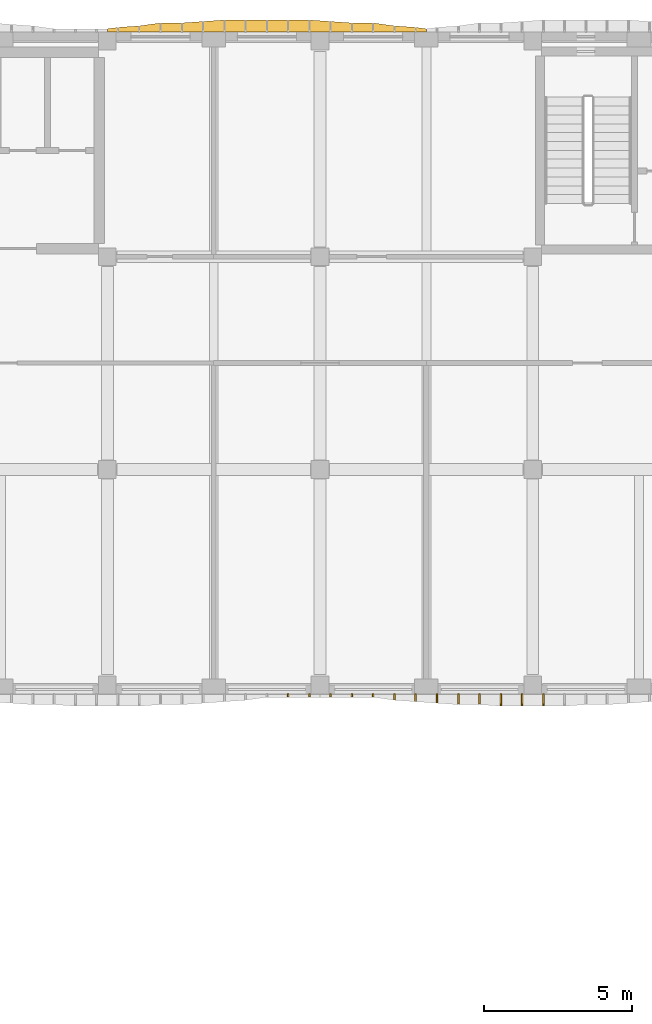
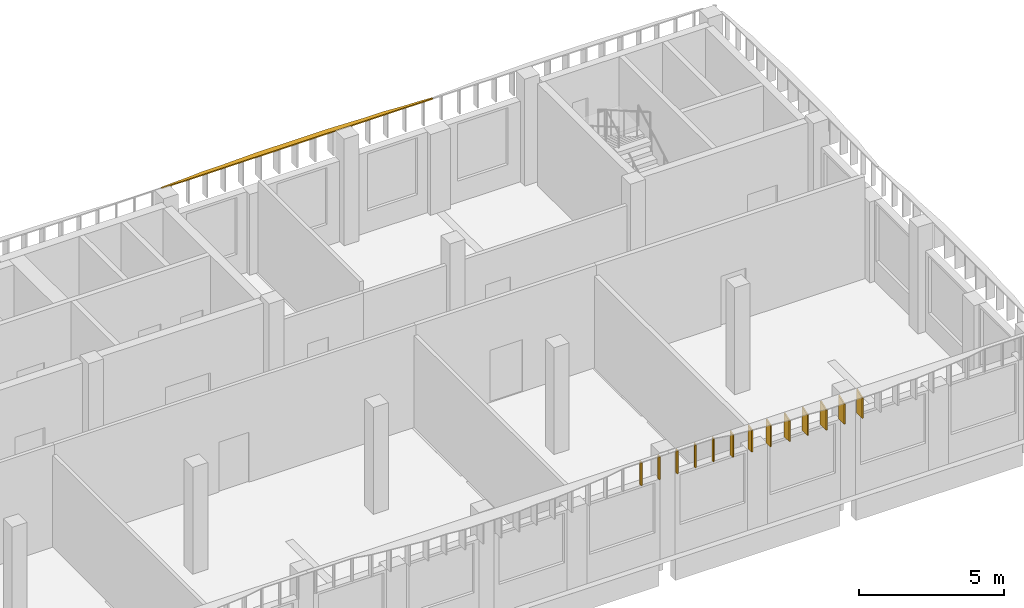
# One storey, part 38 of 44: 14 shading devices.
"""IFC4 building model written with IfcOpenShell, lengths in metres."""

from ifc_helpers import new_model, si_unit, direction, frame, origin, place, context, subcontext, project, spatial, polyline, outline, extrude, material, layer, layer_set, type_object, element, save


model = new_model("IFC4")

# Units and contexts
model_context = context("Model", 3, precision=1e-05, world=origin(), true_north=direction((0.0, 1.0)))
body_context = subcontext(model_context, "Body", "Model", "MODEL_VIEW")
ifc_project = project(units=[si_unit("LENGTHUNIT", "METRE"), si_unit("AREAUNIT", "SQUARE_METRE"), si_unit("VOLUMEUNIT", "CUBIC_METRE"), si_unit("PLANEANGLEUNIT", "RADIAN"), si_unit("MASSUNIT", "GRAM", prefix="KILO")], contexts=[model_context])

# Site, building, storey
site_placement = place(None, origin())
site = spatial("IfcSite", under=ifc_project, at=site_placement, CompositionType="ELEMENT")
building_placement = place(site_placement, origin())
building = spatial("IfcBuilding", under=site, at=building_placement, Name="Ussher Court Research Institute", CompositionType="ELEMENT")
storey_placement = place(building_placement, frame((0.0, 0.0, 18.89990234375)))
storey = spatial("IfcBuildingStorey", under=building, at=storey_placement, Name="L04", CompositionType="ELEMENT", Elevation=18.89990234375)

# Shading devices
ifc_material_1 = material(Name="Bronze anodised aluminium", Category="aluminium")
ifc_layer_1 = layer(ifc_material_1, 0.050048828125)
ifc_layer_set_1 = layer_set([ifc_layer_1], Name="Bronze anodised aluminium")
shading_device_type_1 = type_object("IfcShadingDeviceType", Name="Brim blade 100 mm deep 1000 mm high canted 20 deg dry", PredefinedType="USERDEFINED", material=ifc_layer_set_1)
for number, where, z_axis, x_axis, name in (
    (1, (69.60009765625, 68.39990234375, 3.4501953125), (0.0, 0.0, 1.0), (0.0, -1.0, 0.0), "Brim blade BS17 L04"),
    (2, (68.8798828125, 68.39990234375, 3.4501953125), (0.0, 0.0, 1.0), (0.0, -1.0, 0.0), "Brim blade BS17 L04"),
    (3, (68.159912109375, 68.39990234375, 3.4501953125), (0.0, 0.0, 1.0), (0.0, -1.0, 0.0), "Brim blade BS17 L04"),
    (4, (67.43994140625, 68.39990234375, 3.4501953125), (0.0, 0.0, 1.0), (0.0, -1.0, 0.0), "Brim blade BS17 L04"),
    (5, (66.719970703125, 68.39990234375, 3.4501953125), (0.0, 0.0, 1.0), (0.0, -1.0, 0.0), "Brim blade BS17 L04"),
):
    element("IfcShadingDevice", number, at=place(storey_placement, frame(where, z_axis=z_axis, x_axis=x_axis)), inside=storey, type_object=shading_device_type_1, Name=name, ObjectType="BLADE", PredefinedType="USERDEFINED", context=body_context, shape_type="SweptSolid", body=[
        extrude(outline(polyline([(0.0, 0.0), (0.099853515625, 0.0), (0.10009765625, 0.963623046875), (0.0, 1.0), (0.0, 0.0)])), frame((0.0, 0.02490234375, 0.0), z_axis=(0.0, -1.0, 0.0), x_axis=(1.0, 0.0, 0.0)), (0.0, 0.0, 1.0), 0.050048828125),
    ])
ifc_material_2 = material(Name="Bronze anodised aluminium", Category="aluminium")
ifc_layer_2 = layer(ifc_material_2, 0.050048828125)
ifc_layer_set_2 = layer_set([ifc_layer_2], Name="Bronze anodised aluminium")
shading_device_type_2 = type_object("IfcShadingDeviceType", Name="Brim blade 200 mm deep 1000 mm high canted 20 deg dry", PredefinedType="USERDEFINED", material=ifc_layer_set_2)
shading_device_1_placement = place(storey_placement, frame((70.320068359375, 68.39990234375, 3.4501953125), z_axis=(0.0, 0.0, 1.0), x_axis=(0.0, -1.0, 0.0)))
element("IfcShadingDevice", 6, at=shading_device_1_placement, inside=storey, type_object=shading_device_type_2, Name="Brim blade BS15 L04", ObjectType="BLADE", PredefinedType="USERDEFINED", context=body_context, shape_type="SweptSolid", body=[
    extrude(outline(polyline([(0.0, 0.0), (0.199951171875, 0.0), (0.199951171875, 0.927001953125), (0.0, 1.0), (0.0, 0.0)])), frame((0.0, 0.02490234375, 0.0), z_axis=(0.0, -1.0, 0.0), x_axis=(1.0, 0.0, 0.0)), (0.0, 0.0, 1.0), 0.050048828125),
])
ifc_material_3 = material(Name="Bronze anodised aluminium", Category="aluminium")
ifc_layer_3 = layer(ifc_material_3, 0.050048828125)
ifc_layer_set_3 = layer_set([ifc_layer_3], Name="Bronze anodised aluminium")
shading_device_type_3 = type_object("IfcShadingDeviceType", Name="Brim blade 250 mm deep 1000 mm high canted 20 deg dry", PredefinedType="USERDEFINED", material=ifc_layer_set_3)
shading_device_2_placement = place(storey_placement, frame((71.0400390625, 68.39990234375, 3.4501953125), z_axis=(0.0, 0.0, 1.0), x_axis=(0.0, -1.0, 0.0)))
element("IfcShadingDevice", 7, at=shading_device_2_placement, inside=storey, type_object=shading_device_type_3, Name="Brim blade BS14 L04", ObjectType="BLADE", PredefinedType="USERDEFINED", context=body_context, shape_type="SweptSolid", body=[
    extrude(outline(polyline([(0.0, 0.0), (0.25, 0.0), (0.25, 0.908935546875), (0.0, 1.0), (0.0, 0.0)])), frame((0.0, 0.02490234375, 0.0), z_axis=(0.0, -1.0, 0.0), x_axis=(1.0, 0.0, 0.0)), (0.0, 0.0, 1.0), 0.050048828125),
])
ifc_material_4 = material(Name="Bronze anodised aluminium", Category="aluminium")
ifc_layer_4 = layer(ifc_material_4, 0.050048828125)
ifc_layer_set_4 = layer_set([ifc_layer_4], Name="Bronze anodised aluminium")
shading_device_type_4 = type_object("IfcShadingDeviceType", Name="Brim blade 300 mm deep 1000 mm high canted 20 deg dry", PredefinedType="USERDEFINED", material=ifc_layer_set_4)
shading_device_3_placement = place(storey_placement, frame((71.760009765625, 68.39990234375, 3.4501953125), z_axis=(0.0, 0.0, 1.0), x_axis=(0.0, -1.0, 0.0)))
element("IfcShadingDevice", 8, at=shading_device_3_placement, inside=storey, type_object=shading_device_type_4, Name="Brim blade BS13 L04", ObjectType="BLADE", PredefinedType="USERDEFINED", context=body_context, shape_type="SweptSolid", body=[
    extrude(outline(polyline([(0.0, 0.0), (0.2998046875, 0.0), (0.300048828125, 0.890625), (0.0, 1.0), (0.0, 0.0)])), frame((0.0, 0.02490234375, 0.0), z_axis=(0.0, -1.0, 0.0), x_axis=(1.0, 0.0, 0.0)), (0.0, 0.0, 1.0), 0.050048828125),
])
ifc_material_5 = material(Name="Bronze anodised aluminium", Category="aluminium")
ifc_layer_5 = layer(ifc_material_5, 0.050048828125)
ifc_layer_set_5 = layer_set([ifc_layer_5], Name="Bronze anodised aluminium")
shading_device_type_5 = type_object("IfcShadingDeviceType", Name="Brim blade 350 mm deep 1000 mm high canted 20 deg dry", PredefinedType="USERDEFINED", material=ifc_layer_set_5)
for number, where, z_axis, x_axis, name in (
    (9, (73.199951171875, 68.39990234375, 3.4501953125), (0.0, 0.0, 1.0), (0.0, -1.0, 0.0), "Brim blade BS12 L04"),
    (10, (72.47998046875, 68.39990234375, 3.4501953125), (0.0, 0.0, 1.0), (0.0, -1.0, 0.0), "Brim blade BS12 L04"),
):
    element("IfcShadingDevice", number, at=place(storey_placement, frame(where, z_axis=z_axis, x_axis=x_axis)), inside=storey, type_object=shading_device_type_5, Name=name, ObjectType="BLADE", PredefinedType="USERDEFINED", context=body_context, shape_type="SweptSolid", body=[
        extrude(outline(polyline([(0.0, 0.0), (0.349853515625, 0.0), (0.35009765625, 0.87255859375), (0.0, 1.0), (0.0, 0.0)])), frame((0.0, 0.02490234375, 0.0), z_axis=(0.0, -1.0, 0.0), x_axis=(1.0, 0.0, 0.0)), (0.0, 0.0, 1.0), 0.050048828125),
    ])
ifc_material_6 = material(Name="Bronze anodised aluminium", Category="aluminium")
ifc_layer_6 = layer(ifc_material_6, 0.050048828125)
ifc_layer_set_6 = layer_set([ifc_layer_6], Name="Bronze anodised aluminium")
shading_device_type_6 = type_object("IfcShadingDeviceType", Name="Brim blade 400 mm deep 1000 mm high canted 20 deg dry", PredefinedType="USERDEFINED", material=ifc_layer_set_6)
for number, where, z_axis, x_axis, name in (
    (11, (75.360107421875, 68.39990234375, 3.4501953125), (0.0, 0.0, 1.0), (0.0, -1.0, 0.0), "Brim blade BS11 L04"),
    (12, (74.639892578125, 68.39990234375, 3.4501953125), (0.0, 0.0, 1.0), (0.0, -1.0, 0.0), "Brim blade BS11 L04"),
    (13, (73.919921875, 68.39990234375, 3.4501953125), (0.0, 0.0, 1.0), (0.0, -1.0, 0.0), "Brim blade BS11 L04"),
):
    element("IfcShadingDevice", number, at=place(storey_placement, frame(where, z_axis=z_axis, x_axis=x_axis)), inside=storey, type_object=shading_device_type_6, Name=name, ObjectType="BLADE", PredefinedType="USERDEFINED", context=body_context, shape_type="SweptSolid", body=[
        extrude(outline(polyline([(0.0, 0.0), (0.39990234375, 0.0), (0.39990234375, 0.854248046875), (0.0, 1.0), (0.0, 0.0)])), frame((0.0, 0.02490234375, 0.0), z_axis=(0.0, -1.0, 0.0), x_axis=(1.0, 0.0, 0.0)), (0.0, 0.0, 1.0), 0.050048828125),
    ])
ifc_material_7 = material(Name="Bronze anodised aluminium", Category="aluminium")
ifc_layer_7 = layer(ifc_material_7, 0.0400390625)
ifc_layer_set_7 = layer_set([ifc_layer_7], Name="Bronze anodised aluminium")
shading_device_type_7 = type_object("IfcShadingDeviceType", Name="Brim visor sheet 40 mm canted 20 deg dry", PredefinedType="USERDEFINED", material=ifc_layer_set_7)
shading_device_4_placement = place(storey_placement, frame((60.60009765625, 90.813720703125, 4.48779296875), z_axis=(0.0, 0.342437443403, 0.93954063103), x_axis=(1.0, 0.0, 0.0)))
element("IfcShadingDevice", 14, at=shading_device_4_placement, inside=storey, type_object=shading_device_type_7, Name="Brim visor sheet BR2 L04", ObjectType="BRIM", PredefinedType="USERDEFINED", context=body_context, shape_type="SweptSolid", body=[
    extrude(outline(polyline([(0.0, 0.0), (10.7998046875, 0.0), (10.7998046875, 0.10650264594463102), (10.43994140625, 0.15956639032580203), (9.719970703125, 0.21285951474384548), (9.0, 0.3193621606884765), (8.27978515625, 0.3193621606884765), (7.559814453125, 0.37257168221506404), (6.83984375, 0.42563542659623504), (6.119873046875, 0.42563542659623504), (5.39990234375, 0.42563542659623504), (4.679931640625, 0.42563542659623504), (3.9599609375, 0.42563542659623504), (3.239990234375, 0.37257168221506404), (2.52001953125, 0.3193621606884765), (1.7998046875, 0.3193621606884765), (1.079833984375, 0.21285951474384548), (0.35986328125, 0.15956639032580203), (0.0, 0.10650264594463102), (0.0, 0.0)])), origin(), (0.0, 0.0, -1.0), 0.0400390625),
])

save(model, "model.ifc")
